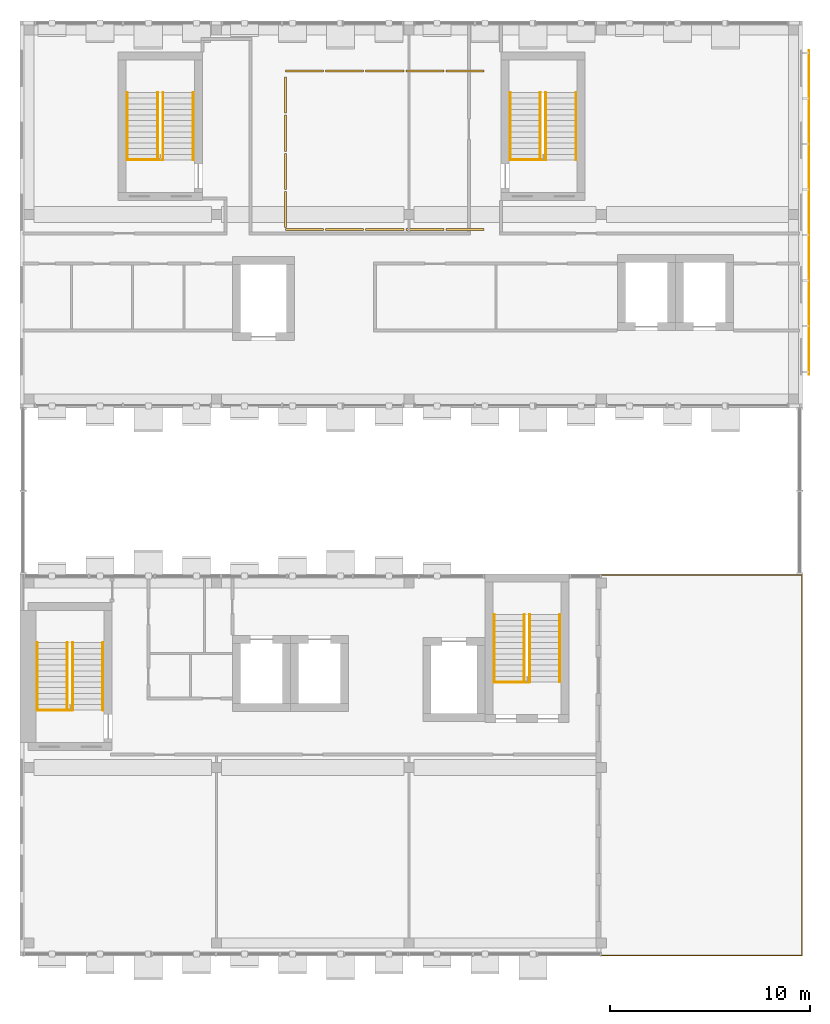
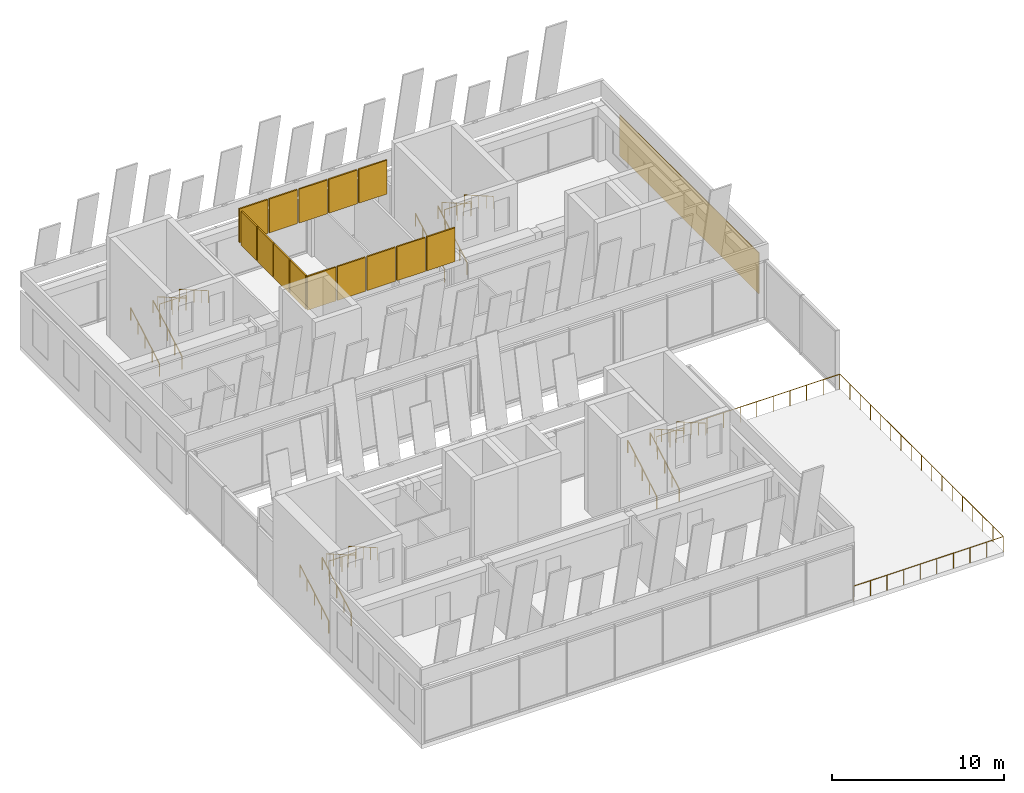
# One storey, part 21 of 26: 21 railings, 15 shading devices.
"""IFC4 building model written with IfcOpenShell, lengths in metres."""

from ifc_helpers import new_model, si_unit, direction, frame, origin, origin_2d, place, context, subcontext, project, spatial, rectangle, circle, extrude, material, type_object, element, save


model = new_model("IFC4")

# Units and contexts
model_context = context("Model", 3, precision=1e-05, world=origin(), true_north=direction((0.0, 1.0)))
body_context = subcontext(model_context, "Body", "Model", "MODEL_VIEW")
ifc_project = project(units=[si_unit("LENGTHUNIT", "METRE"), si_unit("AREAUNIT", "SQUARE_METRE"), si_unit("VOLUMEUNIT", "CUBIC_METRE"), si_unit("PLANEANGLEUNIT", "RADIAN"), si_unit("MASSUNIT", "GRAM", prefix="KILO")], contexts=[model_context])

# Site, building, storey
site_placement = place(None, origin())
site = spatial("IfcSite", under=ifc_project, at=site_placement, CompositionType="ELEMENT")
building_placement = place(site_placement, origin())
building = spatial("IfcBuilding", under=site, at=building_placement, Name="Nzadi Deep Aquarium and Research Tower", CompositionType="ELEMENT")
storey_placement = place(building_placement, frame((0.0, 0.0, 78.10009765625)))
storey = spatial("IfcBuildingStorey", under=building, at=storey_placement, Name="L16", CompositionType="ELEMENT", Elevation=78.10009765625)

# Railings
ifc_material_1 = material(Name="Stainless steel 1.4301", Category="steel")
railing_type_1 = type_object("IfcRailingType", Name="GUARD 1100", PredefinedType="GUARDRAIL", material=ifc_material_1)
for number, where, name in (
    (1, (0.659912109375, 12.070068359375, 4.199951171875), "GR-ST-Z1-SW-L16-TOP"),
    (2, (23.4599609375, 13.469970703125, 4.199951171875), "GR-ST-Z1-SE-L16-TOP"),
    (3, (5.159912109375, 39.52001953125, 4.199951171875), "GR-ST-Z1-NW-L16-TOP"),
):
    element("IfcRailing", number, at=place(storey_placement, frame(where)), inside=storey, type_object=railing_type_1, Name=name, PredefinedType="GUARDRAIL", context=body_context, shape_type="SweptSolid", body=[
        extrude(circle(Radius=0.02392578125, at=origin_2d()), frame((0.0, 0.0, 1.076171875), z_axis=(1.0, 0.0, 0.0), x_axis=(0.0, 1.0, 0.0)), (0.0, 0.0, 1.0), 1.775146484375),
        extrude(circle(Radius=0.02099609375, at=origin_2d()), origin(), (0.0, 0.0, 1.0), 1.052001953125),
        extrude(circle(Radius=0.02099609375, at=origin_2d()), frame((0.8876953125, 0.0, 0.0)), (0.0, 0.0, 1.0), 1.052001953125),
        extrude(circle(Radius=0.02099609375, at=origin_2d()), frame((1.775146484375, 0.0, 0.0)), (0.0, 0.0, 1.0), 1.052001953125),
    ])
railing_1_placement = place(storey_placement, frame((24.260009765625, 39.52001953125, 4.199951171875)))
element("IfcRailing", 4, at=railing_1_placement, inside=storey, type_object=railing_type_1, Name="GR-ST-Z1-NE-L16-TOP", PredefinedType="GUARDRAIL", context=body_context, shape_type="SweptSolid", body=[
    extrude(circle(Radius=0.02392578125, at=origin_2d()), frame((0.0, 0.0, 1.076171875), z_axis=(1.0, 0.0, 0.0), x_axis=(0.0, 1.0, 0.0)), (0.0, 0.0, 1.0), 1.77490234375),
    extrude(circle(Radius=0.02099609375, at=origin_2d()), origin(), (0.0, 0.0, 1.0), 1.052001953125),
    extrude(circle(Radius=0.02099609375, at=origin_2d()), frame((0.887451171875, 0.0, 0.0)), (0.0, 0.0, 1.0), 1.052001953125),
    extrude(circle(Radius=0.02099609375, at=origin_2d()), frame((1.77490234375, 0.0, 0.0)), (0.0, 0.0, 1.0), 1.052001953125),
])
ifc_material_2 = material(Name="Stainless steel 1.4301", Category="steel")
railing_type_2 = type_object("IfcRailingType", Name="Guard 1100 stainless steel", PredefinedType="GUARDRAIL", material=ifc_material_2)
railing_2_placement = place(storey_placement, frame((28.800048828125, -0.169921875, 0.0)))
element("IfcRailing", 5, at=railing_2_placement, inside=storey, type_object=railing_type_2, Name="Guard", PredefinedType="GUARDRAIL", context=body_context, shape_type="SweptSolid", body=[
    extrude(circle(Radius=0.02392578125, at=origin_2d()), frame((0.0, 0.0, 1.076171875), z_axis=(1.0, 0.0, 0.0), x_axis=(0.0, 1.0, 0.0)), (0.0, 0.0, 1.0), 10.02001953125),
    extrude(circle(Radius=0.02392578125, at=origin_2d()), frame((10.02001953125, 0.0, 1.076171875), z_axis=(0.0, 1.0, 0.0), x_axis=(-1.0, 0.0, 0.0)), (0.0, 0.0, 1.0), 18.989990234375),
    extrude(circle(Radius=0.02392578125, at=origin_2d()), frame((10.02001953125, 18.989990234375, 1.076171875), z_axis=(-1.0, 0.0, 0.0), x_axis=(0.0, -1.0, 0.0)), (0.0, 0.0, 1.0), 10.02001953125),
    extrude(circle(Radius=0.02099609375, at=origin_2d()), origin(), (0.0, 0.0, 1.0), 1.052001953125),
    extrude(circle(Radius=0.02099609375, at=origin_2d()), frame((1.11328125, 0.0, 0.0)), (0.0, 0.0, 1.0), 1.052001953125),
    extrude(circle(Radius=0.02099609375, at=origin_2d()), frame((2.2265625, 0.0, 0.0)), (0.0, 0.0, 1.0), 1.052001953125),
    extrude(circle(Radius=0.02099609375, at=origin_2d()), frame((3.340087890625, 0.0, 0.0)), (0.0, 0.0, 1.0), 1.052001953125),
    extrude(circle(Radius=0.02099609375, at=origin_2d()), frame((4.453369140625, 0.0, 0.0)), (0.0, 0.0, 1.0), 1.052001953125),
    extrude(circle(Radius=0.02099609375, at=origin_2d()), frame((5.566650390625, 0.0, 0.0)), (0.0, 0.0, 1.0), 1.052001953125),
    extrude(circle(Radius=0.02099609375, at=origin_2d()), frame((6.679931640625, 0.0, 0.0)), (0.0, 0.0, 1.0), 1.052001953125),
    extrude(circle(Radius=0.02099609375, at=origin_2d()), frame((7.79345703125, 0.0, 0.0)), (0.0, 0.0, 1.0), 1.052001953125),
    extrude(circle(Radius=0.02099609375, at=origin_2d()), frame((8.90673828125, 0.0, 0.0)), (0.0, 0.0, 1.0), 1.052001953125),
    extrude(circle(Radius=0.02099609375, at=origin_2d()), frame((10.02001953125, 0.0, 0.0)), (0.0, 0.0, 1.0), 1.052001953125),
    extrude(circle(Radius=0.02099609375, at=origin_2d()), frame((10.02001953125, 1.186767578125, 0.0)), (0.0, 0.0, 1.0), 1.052001953125),
    extrude(circle(Radius=0.02099609375, at=origin_2d()), frame((10.02001953125, 2.373779296875, 0.0)), (0.0, 0.0, 1.0), 1.052001953125),
    extrude(circle(Radius=0.02099609375, at=origin_2d()), frame((10.02001953125, 3.560546875, 0.0)), (0.0, 0.0, 1.0), 1.052001953125),
    extrude(circle(Radius=0.02099609375, at=origin_2d()), frame((10.02001953125, 4.74755859375, 0.0)), (0.0, 0.0, 1.0), 1.052001953125),
    extrude(circle(Radius=0.02099609375, at=origin_2d()), frame((10.02001953125, 5.934326171875, 0.0)), (0.0, 0.0, 1.0), 1.052001953125),
    extrude(circle(Radius=0.02099609375, at=origin_2d()), frame((10.02001953125, 7.121337890625, 0.0)), (0.0, 0.0, 1.0), 1.052001953125),
    extrude(circle(Radius=0.02099609375, at=origin_2d()), frame((10.02001953125, 8.30810546875, 0.0)), (0.0, 0.0, 1.0), 1.052001953125),
    extrude(circle(Radius=0.02099609375, at=origin_2d()), frame((10.02001953125, 9.4951171875, 0.0)), (0.0, 0.0, 1.0), 1.052001953125),
    extrude(circle(Radius=0.02099609375, at=origin_2d()), frame((10.02001953125, 10.681884765625, 0.0)), (0.0, 0.0, 1.0), 1.052001953125),
    extrude(circle(Radius=0.02099609375, at=origin_2d()), frame((10.02001953125, 11.86865234375, 0.0)), (0.0, 0.0, 1.0), 1.052001953125),
    extrude(circle(Radius=0.02099609375, at=origin_2d()), frame((10.02001953125, 13.0556640625, 0.0)), (0.0, 0.0, 1.0), 1.052001953125),
    extrude(circle(Radius=0.02099609375, at=origin_2d()), frame((10.02001953125, 14.242431640625, 0.0)), (0.0, 0.0, 1.0), 1.052001953125),
    extrude(circle(Radius=0.02099609375, at=origin_2d()), frame((10.02001953125, 15.429443359375, 0.0)), (0.0, 0.0, 1.0), 1.052001953125),
    extrude(circle(Radius=0.02099609375, at=origin_2d()), frame((10.02001953125, 16.6162109375, 0.0)), (0.0, 0.0, 1.0), 1.052001953125),
    extrude(circle(Radius=0.02099609375, at=origin_2d()), frame((10.02001953125, 17.80322265625, 0.0)), (0.0, 0.0, 1.0), 1.052001953125),
    extrude(circle(Radius=0.02099609375, at=origin_2d()), frame((10.02001953125, 18.989990234375, 0.0)), (0.0, 0.0, 1.0), 1.052001953125),
    extrude(circle(Radius=0.02099609375, at=origin_2d()), frame((8.90673828125, 18.989990234375, 0.0)), (0.0, 0.0, 1.0), 1.052001953125),
    extrude(circle(Radius=0.02099609375, at=origin_2d()), frame((7.79345703125, 18.989990234375, 0.0)), (0.0, 0.0, 1.0), 1.052001953125),
    extrude(circle(Radius=0.02099609375, at=origin_2d()), frame((6.679931640625, 18.989990234375, 0.0)), (0.0, 0.0, 1.0), 1.052001953125),
    extrude(circle(Radius=0.02099609375, at=origin_2d()), frame((5.566650390625, 18.989990234375, 0.0)), (0.0, 0.0, 1.0), 1.052001953125),
    extrude(circle(Radius=0.02099609375, at=origin_2d()), frame((4.453369140625, 18.989990234375, 0.0)), (0.0, 0.0, 1.0), 1.052001953125),
    extrude(circle(Radius=0.02099609375, at=origin_2d()), frame((3.340087890625, 18.989990234375, 0.0)), (0.0, 0.0, 1.0), 1.052001953125),
    extrude(circle(Radius=0.02099609375, at=origin_2d()), frame((2.2265625, 18.989990234375, 0.0)), (0.0, 0.0, 1.0), 1.052001953125),
    extrude(circle(Radius=0.02099609375, at=origin_2d()), frame((1.11328125, 18.989990234375, 0.0)), (0.0, 0.0, 1.0), 1.052001953125),
    extrude(circle(Radius=0.02099609375, at=origin_2d()), frame((0.0, 18.989990234375, 0.0)), (0.0, 0.0, 1.0), 1.052001953125),
])
ifc_material_3 = material(Name="Stainless steel 1.4301", Category="steel")
railing_type_3 = type_object("IfcRailingType", Name="HANDRAIL 900", PredefinedType="HANDRAIL", material=ifc_material_3)
for number, where, name in (
    (6, (0.659912109375, 12.070068359375, 0.161376953125), "HR-ST-Z1-SW-L16-F1"),
    (7, (2.1650390625, 12.070068359375, 0.161376953125), "HR-ST-Z1-SW-L16-F1W"),
):
    element("IfcRailing", number, at=place(storey_placement, frame(where)), inside=storey, type_object=railing_type_3, Name=name, PredefinedType="HANDRAIL", context=body_context, shape_type="SweptSolid", body=[
        extrude(circle(Radius=0.02392578125, at=origin_2d()), frame((0.0, 0.0, 0.8759765625), z_axis=(0.0, 0.866175107563, 0.499740615757), x_axis=(-1.0, 0.0, 0.0)), (0.0, 0.0, 1.0), 3.87890625),
        extrude(circle(Radius=0.02099609375, at=origin_2d()), origin(), (0.0, 0.0, 1.0), 0.851806640625),
        extrude(circle(Radius=0.02099609375, at=origin_2d()), frame((0.0, 0.83984375, 0.484619140625)), (0.0, 0.0, 1.0), 0.851806640625),
        extrude(circle(Radius=0.02099609375, at=origin_2d()), frame((0.0, 1.679931640625, 0.96923828125)), (0.0, 0.0, 1.0), 0.851806640625),
        extrude(circle(Radius=0.02099609375, at=origin_2d()), frame((0.0, 2.52001953125, 1.453857421875)), (0.0, 0.0, 1.0), 0.851806640625),
        extrude(circle(Radius=0.02099609375, at=origin_2d()), frame((0.0, 3.35986328125, 1.9384765625)), (0.0, 0.0, 1.0), 0.851806640625),
    ])
for number, where, name in (
    (8, (3.93994140625, 15.429931640625, 2.261474609375), "HR-ST-Z1-SW-L16-F2"),
    (9, (2.43505859375, 15.429931640625, 2.261474609375), "HR-ST-Z1-SW-L16-F2W"),
):
    element("IfcRailing", number, at=place(storey_placement, frame(where)), inside=storey, type_object=railing_type_3, Name=name, PredefinedType="HANDRAIL", context=body_context, shape_type="SweptSolid", body=[
        extrude(circle(Radius=0.02392578125, at=origin_2d()), frame((0.0, 0.0, 0.8759765625), z_axis=(0.0, -0.866175107563, 0.499740615757), x_axis=(1.0, 0.0, 0.0)), (0.0, 0.0, 1.0), 3.87890625),
        extrude(circle(Radius=0.02099609375, at=origin_2d()), origin(), (0.0, 0.0, 1.0), 0.851806640625),
        extrude(circle(Radius=0.02099609375, at=origin_2d()), frame((0.0, -0.83984375, 0.484619140625)), (0.0, 0.0, 1.0), 0.851806640625),
        extrude(circle(Radius=0.02099609375, at=origin_2d()), frame((0.0, -1.679931640625, 0.96923828125)), (0.0, 0.0, 1.0), 0.851806640625),
        extrude(circle(Radius=0.02099609375, at=origin_2d()), frame((0.0, -2.52001953125, 1.453857421875)), (0.0, 0.0, 1.0), 0.851806640625),
        extrude(circle(Radius=0.02099609375, at=origin_2d()), frame((0.0, -3.35986328125, 1.9384765625)), (0.0, 0.0, 1.0), 0.851806640625),
    ])
for number, where, name in (
    (10, (23.4599609375, 13.469970703125, 0.161376953125), "HR-ST-Z1-SE-L16-F1"),
    (11, (24.965087890625, 13.469970703125, 0.161376953125), "HR-ST-Z1-SE-L16-F1W"),
):
    element("IfcRailing", number, at=place(storey_placement, frame(where)), inside=storey, type_object=railing_type_3, Name=name, PredefinedType="HANDRAIL", context=body_context, shape_type="SweptSolid", body=[
        extrude(circle(Radius=0.02392578125, at=origin_2d()), frame((0.0, 0.0, 0.8759765625), z_axis=(0.0, 0.866190824863, 0.499713372768), x_axis=(-1.0, 0.0, 0.0)), (0.0, 0.0, 1.0), 3.879150390625),
        extrude(circle(Radius=0.02099609375, at=origin_2d()), origin(), (0.0, 0.0, 1.0), 0.851806640625),
        extrude(circle(Radius=0.02099609375, at=origin_2d()), frame((0.0, 0.840087890625, 0.484619140625)), (0.0, 0.0, 1.0), 0.851806640625),
        extrude(circle(Radius=0.02099609375, at=origin_2d()), frame((0.0, 1.68017578125, 0.96923828125)), (0.0, 0.0, 1.0), 0.851806640625),
        extrude(circle(Radius=0.02099609375, at=origin_2d()), frame((0.0, 2.52001953125, 1.453857421875)), (0.0, 0.0, 1.0), 0.851806640625),
        extrude(circle(Radius=0.02099609375, at=origin_2d()), frame((0.0, 3.360107421875, 1.9384765625)), (0.0, 0.0, 1.0), 0.851806640625),
    ])
for number, where, name in (
    (12, (26.739990234375, 16.830078125, 2.261474609375), "HR-ST-Z1-SE-L16-F2"),
    (13, (25.235107421875, 16.830078125, 2.261474609375), "HR-ST-Z1-SE-L16-F2W"),
):
    element("IfcRailing", number, at=place(storey_placement, frame(where)), inside=storey, type_object=railing_type_3, Name=name, PredefinedType="HANDRAIL", context=body_context, shape_type="SweptSolid", body=[
        extrude(circle(Radius=0.02392578125, at=origin_2d()), frame((0.0, 0.0, 0.8759765625), z_axis=(0.0, -0.866190824863, 0.499713372768), x_axis=(1.0, 0.0, 0.0)), (0.0, 0.0, 1.0), 3.879150390625),
        extrude(circle(Radius=0.02099609375, at=origin_2d()), origin(), (0.0, 0.0, 1.0), 0.851806640625),
        extrude(circle(Radius=0.02099609375, at=origin_2d()), frame((0.0, -0.840087890625, 0.484619140625)), (0.0, 0.0, 1.0), 0.851806640625),
        extrude(circle(Radius=0.02099609375, at=origin_2d()), frame((0.0, -1.68017578125, 0.96923828125)), (0.0, 0.0, 1.0), 0.851806640625),
        extrude(circle(Radius=0.02099609375, at=origin_2d()), frame((0.0, -2.52001953125, 1.453857421875)), (0.0, 0.0, 1.0), 0.851806640625),
        extrude(circle(Radius=0.02099609375, at=origin_2d()), frame((0.0, -3.360107421875, 1.9384765625)), (0.0, 0.0, 1.0), 0.851806640625),
    ])
for number, where, name in (
    (14, (5.159912109375, 39.52001953125, 0.161376953125), "HR-ST-Z1-NW-L16-F1"),
    (15, (6.6650390625, 39.52001953125, 0.161376953125), "HR-ST-Z1-NW-L16-F1W"),
):
    element("IfcRailing", number, at=place(storey_placement, frame(where)), inside=storey, type_object=railing_type_3, Name=name, PredefinedType="HANDRAIL", context=body_context, shape_type="SweptSolid", body=[
        extrude(circle(Radius=0.02392578125, at=origin_2d()), frame((0.0, 0.0, 0.8759765625), z_axis=(0.0, 0.866175107563, 0.499740615757), x_axis=(-1.0, 0.0, 0.0)), (0.0, 0.0, 1.0), 3.87890625),
        extrude(circle(Radius=0.02099609375, at=origin_2d()), origin(), (0.0, 0.0, 1.0), 0.851806640625),
        extrude(circle(Radius=0.02099609375, at=origin_2d()), frame((0.0, 0.83984375, 0.484619140625)), (0.0, 0.0, 1.0), 0.851806640625),
        extrude(circle(Radius=0.02099609375, at=origin_2d()), frame((0.0, 1.679931640625, 0.96923828125)), (0.0, 0.0, 1.0), 0.851806640625),
        extrude(circle(Radius=0.02099609375, at=origin_2d()), frame((0.0, 2.52001953125, 1.453857421875)), (0.0, 0.0, 1.0), 0.851806640625),
        extrude(circle(Radius=0.02099609375, at=origin_2d()), frame((0.0, 3.35986328125, 1.9384765625)), (0.0, 0.0, 1.0), 0.851806640625),
    ])
for number, where, name in (
    (16, (8.43994140625, 42.8798828125, 2.261474609375), "HR-ST-Z1-NW-L16-F2"),
    (17, (6.93505859375, 42.8798828125, 2.261474609375), "HR-ST-Z1-NW-L16-F2W"),
):
    element("IfcRailing", number, at=place(storey_placement, frame(where)), inside=storey, type_object=railing_type_3, Name=name, PredefinedType="HANDRAIL", context=body_context, shape_type="SweptSolid", body=[
        extrude(circle(Radius=0.02392578125, at=origin_2d()), frame((0.0, 0.0, 0.8759765625), z_axis=(0.0, -0.866175107563, 0.499740615757), x_axis=(1.0, 0.0, 0.0)), (0.0, 0.0, 1.0), 3.87890625),
        extrude(circle(Radius=0.02099609375, at=origin_2d()), origin(), (0.0, 0.0, 1.0), 0.851806640625),
        extrude(circle(Radius=0.02099609375, at=origin_2d()), frame((0.0, -0.83984375, 0.484619140625)), (0.0, 0.0, 1.0), 0.851806640625),
        extrude(circle(Radius=0.02099609375, at=origin_2d()), frame((0.0, -1.679931640625, 0.96923828125)), (0.0, 0.0, 1.0), 0.851806640625),
        extrude(circle(Radius=0.02099609375, at=origin_2d()), frame((0.0, -2.52001953125, 1.453857421875)), (0.0, 0.0, 1.0), 0.851806640625),
        extrude(circle(Radius=0.02099609375, at=origin_2d()), frame((0.0, -3.35986328125, 1.9384765625)), (0.0, 0.0, 1.0), 0.851806640625),
    ])
for number, where, name in (
    (18, (24.260009765625, 39.52001953125, 0.161376953125), "HR-ST-Z1-NE-L16-F1"),
    (19, (25.764892578125, 39.52001953125, 0.161376953125), "HR-ST-Z1-NE-L16-F1W"),
):
    element("IfcRailing", number, at=place(storey_placement, frame(where)), inside=storey, type_object=railing_type_3, Name=name, PredefinedType="HANDRAIL", context=body_context, shape_type="SweptSolid", body=[
        extrude(circle(Radius=0.02392578125, at=origin_2d()), frame((0.0, 0.0, 0.8759765625), z_axis=(0.0, 0.866175107563, 0.499740615757), x_axis=(-1.0, 0.0, 0.0)), (0.0, 0.0, 1.0), 3.87890625),
        extrude(circle(Radius=0.02099609375, at=origin_2d()), origin(), (0.0, 0.0, 1.0), 0.851806640625),
        extrude(circle(Radius=0.02099609375, at=origin_2d()), frame((0.0, 0.83984375, 0.484619140625)), (0.0, 0.0, 1.0), 0.851806640625),
        extrude(circle(Radius=0.02099609375, at=origin_2d()), frame((0.0, 1.679931640625, 0.96923828125)), (0.0, 0.0, 1.0), 0.851806640625),
        extrude(circle(Radius=0.02099609375, at=origin_2d()), frame((0.0, 2.52001953125, 1.453857421875)), (0.0, 0.0, 1.0), 0.851806640625),
        extrude(circle(Radius=0.02099609375, at=origin_2d()), frame((0.0, 3.35986328125, 1.9384765625)), (0.0, 0.0, 1.0), 0.851806640625),
    ])
for number, where, name in (
    (20, (27.5400390625, 42.8798828125, 2.261474609375), "HR-ST-Z1-NE-L16-F2"),
    (21, (26.034912109375, 42.8798828125, 2.261474609375), "HR-ST-Z1-NE-L16-F2W"),
):
    element("IfcRailing", number, at=place(storey_placement, frame(where)), inside=storey, type_object=railing_type_3, Name=name, PredefinedType="HANDRAIL", context=body_context, shape_type="SweptSolid", body=[
        extrude(circle(Radius=0.02392578125, at=origin_2d()), frame((0.0, 0.0, 0.8759765625), z_axis=(0.0, -0.866175107563, 0.499740615757), x_axis=(1.0, 0.0, 0.0)), (0.0, 0.0, 1.0), 3.87890625),
        extrude(circle(Radius=0.02099609375, at=origin_2d()), origin(), (0.0, 0.0, 1.0), 0.851806640625),
        extrude(circle(Radius=0.02099609375, at=origin_2d()), frame((0.0, -0.83984375, 0.484619140625)), (0.0, 0.0, 1.0), 0.851806640625),
        extrude(circle(Radius=0.02099609375, at=origin_2d()), frame((0.0, -1.679931640625, 0.96923828125)), (0.0, 0.0, 1.0), 0.851806640625),
        extrude(circle(Radius=0.02099609375, at=origin_2d()), frame((0.0, -2.52001953125, 1.453857421875)), (0.0, 0.0, 1.0), 0.851806640625),
        extrude(circle(Radius=0.02099609375, at=origin_2d()), frame((0.0, -3.35986328125, 1.9384765625)), (0.0, 0.0, 1.0), 0.851806640625),
    ])

# Shading devices
ifc_material_4 = material(Name="Aluminium perforated sheet", Category="aluminium")
shading_device_type_1 = type_object("IfcShadingDeviceType", Name="Perforated screen 40 mm", PredefinedType="USERDEFINED", material=ifc_material_4)
shading_device_placement = place(storey_placement, frame((39.169921875, 36.89990234375, 0.599853515625), z_axis=(0.0, 0.0, 1.0), x_axis=(1.0, 0.0, 0.0)))
element("IfcShadingDevice", 22, at=shading_device_placement, inside=storey, type_object=shading_device_type_1, Name="Perforated screen L16 BE", ObjectType="Screen", PredefinedType="USERDEFINED", context=body_context, shape_type="SweptSolid", body=[
    extrude(rectangle(XDim=0.0400390625, YDim=16.199951171875, at=origin_2d()), origin(), (0.0, 0.0, 1.0), 2.89990234375),
])
ifc_material_5 = material(Name="Aluminium louvre", Category="aluminium")
shading_device_type_2 = type_object("IfcShadingDeviceType", Name="Plant screen louvre band", PredefinedType="JALOUSIE", material=ifc_material_5)
for number, where, z_axis, x_axis, name in (
    (23, (14.0, 36.050048828125, 4.199951171875), (0.0, 0.0, 1.0), (1.0, 0.0, 0.0), "Plant screen louvre band"),
    (24, (16.0, 36.050048828125, 4.199951171875), (0.0, 0.0, 1.0), (1.0, 0.0, 0.0), "Plant screen louvre band"),
    (25, (18.0, 36.050048828125, 4.199951171875), (0.0, 0.0, 1.0), (1.0, 0.0, 0.0), "Plant screen louvre band"),
    (26, (20.0, 36.050048828125, 4.199951171875), (0.0, 0.0, 1.0), (1.0, 0.0, 0.0), "Plant screen louvre band"),
    (27, (22.0, 36.050048828125, 4.199951171875), (0.0, 0.0, 1.0), (1.0, 0.0, 0.0), "Plant screen louvre band"),
    (28, (14.0, 43.949951171875, 4.199951171875), (0.0, 0.0, 1.0), (1.0, 0.0, 0.0), "Plant screen louvre band"),
    (29, (16.0, 43.949951171875, 4.199951171875), (0.0, 0.0, 1.0), (1.0, 0.0, 0.0), "Plant screen louvre band"),
    (30, (18.0, 43.949951171875, 4.199951171875), (0.0, 0.0, 1.0), (1.0, 0.0, 0.0), "Plant screen louvre band"),
    (31, (20.0, 43.949951171875, 4.199951171875), (0.0, 0.0, 1.0), (1.0, 0.0, 0.0), "Plant screen louvre band"),
    (32, (22.0, 43.949951171875, 4.199951171875), (0.0, 0.0, 1.0), (1.0, 0.0, 0.0), "Plant screen louvre band"),
):
    element("IfcShadingDevice", number, at=place(storey_placement, frame(where, z_axis=z_axis, x_axis=x_axis)), inside=storey, type_object=shading_device_type_2, Name=name, PredefinedType="JALOUSIE", context=body_context, shape_type="SweptSolid", body=[
        extrude(rectangle(XDim=1.89990234375, YDim=0.10009765625, at=origin_2d()), origin(), (0.0, 0.0, 1.0), 2.39990234375),
    ])
for number, where, z_axis, x_axis, name in (
    (33, (13.050048828125, 37.050048828125, 4.199951171875), (0.0, 0.0, 1.0), (1.0, 0.0, 0.0), "Plant screen louvre band"),
    (34, (13.050048828125, 38.949951171875, 4.199951171875), (0.0, 0.0, 1.0), (1.0, 0.0, 0.0), "Plant screen louvre band"),
    (35, (13.050048828125, 40.85009765625, 4.199951171875), (0.0, 0.0, 1.0), (1.0, 0.0, 0.0), "Plant screen louvre band"),
    (36, (13.050048828125, 42.75, 4.199951171875), (0.0, 0.0, 1.0), (1.0, 0.0, 0.0), "Plant screen louvre band"),
):
    element("IfcShadingDevice", number, at=place(storey_placement, frame(where, z_axis=z_axis, x_axis=x_axis)), inside=storey, type_object=shading_device_type_2, Name=name, PredefinedType="JALOUSIE", context=body_context, shape_type="SweptSolid", body=[
        extrude(rectangle(XDim=0.10009765625, YDim=1.800048828125, at=origin_2d()), origin(), (0.0, 0.0, 1.0), 2.39990234375),
    ])

save(model, "model.ifc")
